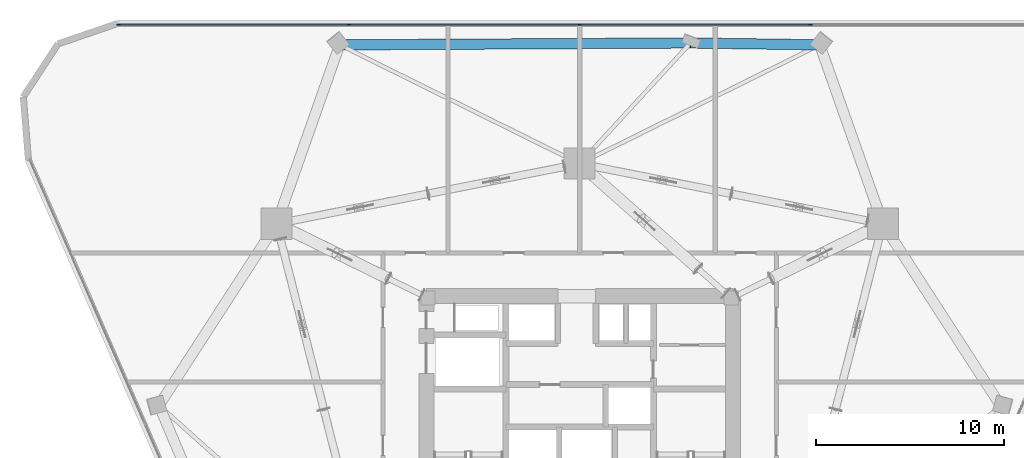
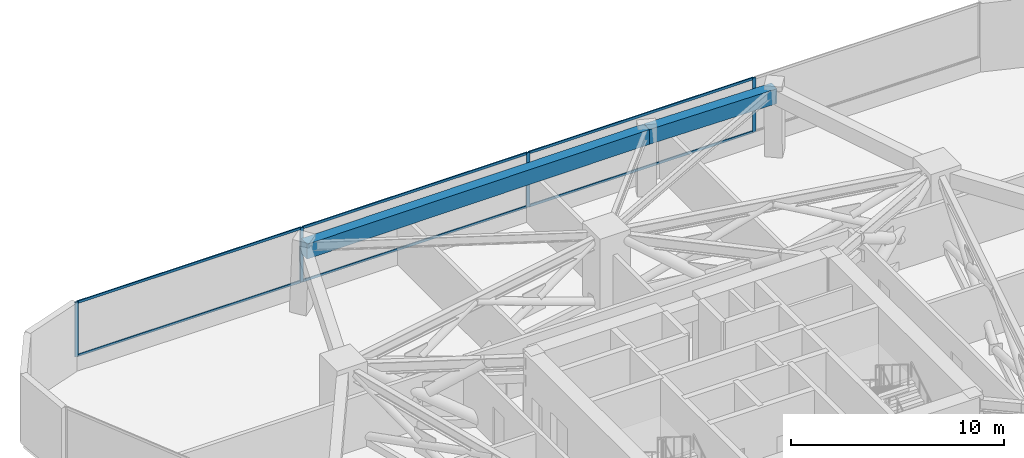
# One storey, part 8 of 14: 10 members, 2 beams, 1 element without a shape of its own.
"""IFC4 building model written with IfcOpenShell, lengths in metres."""

from ifc_helpers import new_model, si_unit, direction, frame, origin, origin_2d, place, context, subcontext, project, spatial, rectangle, extrude, material, layer, layer_set, material_profile, profile_set, type_object, element, aggregate, save


model = new_model("IFC4")

# Units and contexts
model_context = context("Model", 3, precision=1e-05, world=origin(), true_north=direction((0.0, 1.0)))
body_context = subcontext(model_context, "Body", "Model", "MODEL_VIEW")
ifc_project = project(units=[si_unit("LENGTHUNIT", "METRE"), si_unit("AREAUNIT", "SQUARE_METRE"), si_unit("VOLUMEUNIT", "CUBIC_METRE"), si_unit("PLANEANGLEUNIT", "RADIAN"), si_unit("MASSUNIT", "GRAM", prefix="KILO")], contexts=[model_context])

# Site, building, storey
site_placement = place(None, origin())
site = spatial("IfcSite", under=ifc_project, at=site_placement, CompositionType="ELEMENT")
building_placement = place(site_placement, origin())
building = spatial("IfcBuilding", under=site, at=building_placement, Name="Talyreon Biosciences Tower", CompositionType="ELEMENT")
storey_placement = place(building_placement, frame((0.0, 0.0, 123.0)))
storey = spatial("IfcBuildingStorey", under=building, at=storey_placement, Name="L32", CompositionType="ELEMENT", Elevation=123.0)

# Curtain wall, members
ifc_material_1 = material(Name="Thermally broken aluminium and low-E glazing", Category="aluminium")
ifc_layer = layer(ifc_material_1, 0.18994140625)
ifc_layer_set = layer_set([ifc_layer], Name="Thermally broken aluminium and low-E glazing")
curtain_wall_type = type_object("IfcCurtainWallType", Name="CurtainWall_Zone2Genomics", PredefinedType="NOTDEFINED", material=ifc_layer_set)
curtain_wall_placement = place(storey_placement, origin())
curtain_wall = element("IfcCurtainWall", 1, at=curtain_wall_placement, inside=storey, type_object=curtain_wall_type, Name="L32 Unitised Curtain Wall FCW-L32-04", PredefinedType="NOTDEFINED")
ifc_material_2 = material(Name="Anodised thermally broken aluminium", Category="aluminium")
ifc_material_profile_1 = material_profile(ifc_material_2, rectangle(XDim=0.06494140625, YDim=0.179931640625, at=origin_2d()), Name="ALUM MULLION 65x180")
ifc_profile_set_1 = profile_set([ifc_material_profile_1], Name="Anodised thermally broken aluminium")
member_type_1 = type_object("IfcMemberType", Name="CWMullion_65x180", PredefinedType="MULLION", material=ifc_profile_set_1)
member_1_placement = place(storey_placement, frame((41.509521484375, 89.173095703125, 0.81005859375), z_axis=(0.0, 0.0, 1.0), x_axis=(0.0, 1.0, 0.0)))
member_1 = element("IfcMember", 2, at=member_1_placement, type_object=member_type_1, Name="CW3 mullion 1", PredefinedType="MULLION", context=body_context, shape_type="SweptSolid", body=[
    extrude(rectangle(XDim=0.06494140625, YDim=0.179931640625, at=origin_2d()), origin(), (0.0, 0.0, 1.0), 3.114990234375),
])
member_2_placement = place(storey_placement, frame((53.738525390625, 89.173095703125, 0.81005859375), z_axis=(0.0, 0.0, 1.0), x_axis=(0.0, 1.0, 0.0)))
member_2 = element("IfcMember", 3, at=member_2_placement, type_object=member_type_1, Name="CW3 mullion 2", PredefinedType="MULLION", context=body_context, shape_type="SweptSolid", body=[
    extrude(rectangle(XDim=0.06494140625, YDim=0.179931640625, at=origin_2d()), origin(), (0.0, 0.0, 1.0), 3.114990234375),
])
member_3_placement = place(storey_placement, frame((66.0, 89.173095703125, 0.81005859375), z_axis=(0.0, 0.0, 1.0), x_axis=(0.0, 1.0, 0.0)))
member_3 = element("IfcMember", 4, at=member_3_placement, type_object=member_type_1, Name="CW3 mullion 3", PredefinedType="MULLION", context=body_context, shape_type="SweptSolid", body=[
    extrude(rectangle(XDim=0.06494140625, YDim=0.179931640625, at=origin_2d()), origin(), (0.0, 0.0, 1.0), 3.114990234375),
])
member_4_placement = place(storey_placement, frame((78.261474609375, 89.173095703125, 0.81005859375), z_axis=(0.0, 0.0, 1.0), x_axis=(0.0, 1.0, 0.0)))
member_4 = element("IfcMember", 5, at=member_4_placement, type_object=member_type_1, Name="CW3 mullion 4", PredefinedType="MULLION", context=body_context, shape_type="SweptSolid", body=[
    extrude(rectangle(XDim=0.06494140625, YDim=0.179931640625, at=origin_2d()), origin(), (0.0, 0.0, 1.0), 3.114990234375),
])
ifc_material_profile_2 = material_profile(ifc_material_2, rectangle(XDim=0.06494140625, YDim=0.139892578125, at=origin_2d()), Name="ALUM TRANSOM 65x140")
ifc_profile_set_2 = profile_set([ifc_material_profile_2], Name="Anodised thermally broken aluminium")
member_type_2 = type_object("IfcMemberType", Name="CWTransom_65x140", PredefinedType="USERDEFINED", material=ifc_profile_set_2)
member_5_placement = place(storey_placement, frame((41.5419921875, 89.173095703125, 0.842529296875), z_axis=(1.0, 0.0, 0.0), x_axis=(0.0, 1.0, 0.0)))
member_5 = element("IfcMember", 6, at=member_5_placement, type_object=member_type_2, Name="CW3 transom 1.1", ObjectType="TRANSOM", PredefinedType="USERDEFINED", context=body_context, shape_type="SweptSolid", body=[
    extrude(rectangle(XDim=0.06494140625, YDim=0.139892578125, at=origin_2d()), origin(), (0.0, 0.0, 1.0), 12.1640625),
])
member_6_placement = place(storey_placement, frame((41.5419921875, 89.173095703125, 3.892578125), z_axis=(1.0, 0.0, 0.0), x_axis=(0.0, 1.0, 0.0)))
member_6 = element("IfcMember", 7, at=member_6_placement, type_object=member_type_2, Name="CW3 transom 1.2", ObjectType="TRANSOM", PredefinedType="USERDEFINED", context=body_context, shape_type="SweptSolid", body=[
    extrude(rectangle(XDim=0.06494140625, YDim=0.139892578125, at=origin_2d()), origin(), (0.0, 0.0, 1.0), 12.1640625),
])
member_7_placement = place(storey_placement, frame((53.77099609375, 89.173095703125, 0.842529296875), z_axis=(1.0, 0.0, 0.0), x_axis=(0.0, 1.0, 0.0)))
member_7 = element("IfcMember", 8, at=member_7_placement, type_object=member_type_2, Name="CW3 transom 2.1", ObjectType="TRANSOM", PredefinedType="USERDEFINED", context=body_context, shape_type="SweptSolid", body=[
    extrude(rectangle(XDim=0.06494140625, YDim=0.139892578125, at=origin_2d()), origin(), (0.0, 0.0, 1.0), 12.196533203125),
])
member_8_placement = place(storey_placement, frame((53.77099609375, 89.173095703125, 3.892578125), z_axis=(1.0, 0.0, 0.0), x_axis=(0.0, 1.0, 0.0)))
member_8 = element("IfcMember", 9, at=member_8_placement, type_object=member_type_2, Name="CW3 transom 2.2", ObjectType="TRANSOM", PredefinedType="USERDEFINED", context=body_context, shape_type="SweptSolid", body=[
    extrude(rectangle(XDim=0.06494140625, YDim=0.139892578125, at=origin_2d()), origin(), (0.0, 0.0, 1.0), 12.196533203125),
])
member_9_placement = place(storey_placement, frame((66.032470703125, 89.173095703125, 0.842529296875), z_axis=(1.0, 0.0, 0.0), x_axis=(0.0, 1.0, 0.0)))
member_9 = element("IfcMember", 10, at=member_9_placement, type_object=member_type_2, Name="CW3 transom 3.1", ObjectType="TRANSOM", PredefinedType="USERDEFINED", context=body_context, shape_type="SweptSolid", body=[
    extrude(rectangle(XDim=0.06494140625, YDim=0.139892578125, at=origin_2d()), origin(), (0.0, 0.0, 1.0), 12.196533203125),
])
member_10_placement = place(storey_placement, frame((66.032470703125, 89.173095703125, 3.892578125), z_axis=(1.0, 0.0, 0.0), x_axis=(0.0, 1.0, 0.0)))
member_10 = element("IfcMember", 11, at=member_10_placement, type_object=member_type_2, Name="CW3 transom 3.2", ObjectType="TRANSOM", PredefinedType="USERDEFINED", context=body_context, shape_type="SweptSolid", body=[
    extrude(rectangle(XDim=0.06494140625, YDim=0.139892578125, at=origin_2d()), origin(), (0.0, 0.0, 1.0), 12.196533203125),
])
aggregate(curtain_wall, [member_1, member_2, member_3, member_4, member_5, member_6, member_7, member_8, member_9, member_10])

# Beams
ifc_material_3 = material(Name="Precast concrete C45/55", Category="concrete")
ifc_material_profile_3 = material_profile(ifc_material_3, rectangle(XDim=0.550048828125, YDim=0.85009765625, at=origin_2d()), Name="RCB 550x850")
ifc_profile_set_3 = profile_set([ifc_material_profile_3], Name="Precast concrete C45/55")
beam_type = type_object("IfcBeamType", Name="ExpressedSpandrel_550x850", PredefinedType="SPANDREL", material=ifc_profile_set_3)
beam_1_placement = place(storey_placement, frame((78.751953125, 88.10302734375, 3.5), z_axis=(-0.999894278654, 0.014540684799, 0.0), x_axis=(-0.014540684799, -0.999894278654, 0.0)))
element("IfcBeam", 12, at=beam_1_placement, inside=storey, type_object=beam_type, Name="L32 Expressed Horizontal Concrete Spandrel 06", PredefinedType="SPANDREL", context=body_context, shape_type="SweptSolid", body=[
    extrude(rectangle(XDim=0.550048828125, YDim=0.85009765625, at=origin_2d()), origin(), (0.0, 0.0, 1.0), 6.8671875),
])
beam_2_placement = place(storey_placement, frame((71.885498046875, 88.202880859375, 3.5), z_axis=(-0.999985647937, -0.005357603977, 0.0), x_axis=(0.005357603977, -0.999985647937, 0.0)))
element("IfcBeam", 13, at=beam_2_placement, inside=storey, type_object=beam_type, Name="L32 Expressed Horizontal Concrete Spandrel 07", PredefinedType="SPANDREL", context=body_context, shape_type="SweptSolid", body=[
    extrude(rectangle(XDim=0.550048828125, YDim=0.85009765625, at=origin_2d()), origin(), (0.0, 0.0, 1.0), 18.6376953125),
])

save(model, "model.ifc")
